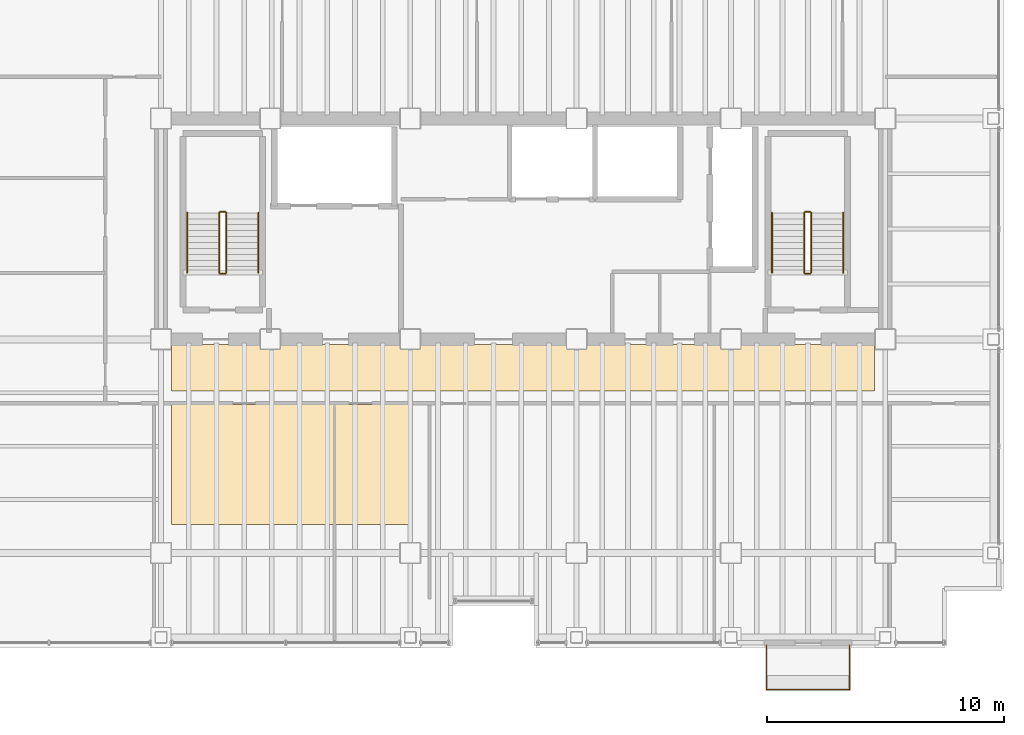
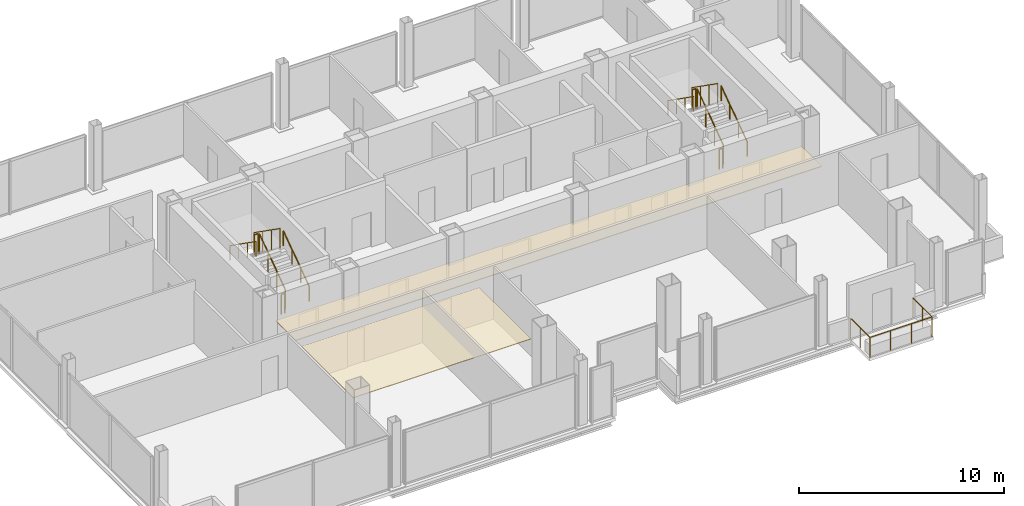
# One storey, part 19 of 19: 13 railings, 2 coverings.
"""IFC4 building model written with IfcOpenShell, lengths in metres."""

from ifc_helpers import new_model, si_unit, direction, frame, origin, origin_2d, place, context, subcontext, project, spatial, polyline, circle, outline, extrude, material, layer, layer_set, type_object, element, save


model = new_model("IFC4")

# Units and contexts
model_context = context("Model", 3, precision=1e-05, world=origin(), true_north=direction((0.0, 1.0)))
body_context = subcontext(model_context, "Body", "Model", "MODEL_VIEW")
ifc_project = project(units=[si_unit("LENGTHUNIT", "METRE"), si_unit("AREAUNIT", "SQUARE_METRE"), si_unit("VOLUMEUNIT", "CUBIC_METRE"), si_unit("PLANEANGLEUNIT", "RADIAN"), si_unit("MASSUNIT", "GRAM", prefix="KILO")], contexts=[model_context])

# Site, building, storey
site_placement = place(None, origin())
site = spatial("IfcSite", under=ifc_project, at=site_placement, CompositionType="ELEMENT")
building_placement = place(site_placement, origin())
building = spatial("IfcBuilding", under=site, at=building_placement, Name="Noeulbin Bourse Tower", CompositionType="ELEMENT")
storey_placement = place(building_placement, frame((0.0, 0.0, 146.10009765625)))
storey = spatial("IfcBuildingStorey", under=building, at=storey_placement, Name="L36", CompositionType="ELEMENT", Elevation=146.10009765625)

# Coverings
ifc_material_1 = material(Name="Perforated Mineral-Fibre Acoustic Tile")
ifc_layer_1 = layer(ifc_material_1, 0.0400390625)
ifc_layer_set_1 = layer_set([ifc_layer_1], Name="Perforated Mineral-Fibre Acoustic Tile")
covering_type = type_object("IfcCoveringType", Name="COV-CEIL-ACT", PredefinedType="CEILING", material=ifc_layer_set_1)
covering_1_placement = place(storey_placement, frame((0.0, 0.0, 2.10986328125)))
element("IfcCovering", 1, at=covering_1_placement, inside=storey, type_object=covering_type, Name="Corridor Suspended Ceiling L36", PredefinedType="CEILING", context=body_context, shape_type="SweptSolid", body=[
    extrude(outline(polyline([(13.949951171875, 26.820068359375), (43.550048828125, 26.820068359375), (43.550048828125, 28.780029296875), (13.949951171875, 28.780029296875), (13.949951171875, 26.820068359375)])), origin(), (0.0, 0.0, 1.0), 0.0400390625),
])
covering_2_placement = place(storey_placement, frame((0.0, 0.0, 2.10986328125)))
element("IfcCovering", 2, at=covering_2_placement, inside=storey, type_object=covering_type, Name="Trading Suite Acoustic Ceiling L36", PredefinedType="CEILING", context=body_context, shape_type="SweptSolid", body=[
    extrude(outline(polyline([(13.949951171875, 21.199951171875), (23.949951171875, 21.199951171875), (23.949951171875, 26.25), (13.949951171875, 26.25), (13.949951171875, 21.199951171875)])), origin(), (0.0, 0.0, 1.0), 0.0400390625),
])

# Railings
ifc_material_2 = material(Name="Laminated SentryGlas and Stainless Steel 316", Category="steel")
ifc_layer_2 = layer(ifc_material_2, 0.06005859375)
ifc_layer_set_2 = layer_set([ifc_layer_2], Name="Laminated SentryGlas and Stainless Steel 316")
railing_type_1 = type_object("IfcRailingType", Name="RLG-BAL-1200", PredefinedType="BALUSTRADE", material=ifc_layer_set_2)
railing_1_placement = place(storey_placement, frame((39.0, 16.1201171875, 0.0)))
element("IfcRailing", 3, at=railing_1_placement, inside=storey, type_object=railing_type_1, Name="Tree-Balcony Glazed Balustrade L36", PredefinedType="BALUSTRADE", context=body_context, shape_type="SweptSolid", body=[
    extrude(circle(Radius=0.02392578125, at=origin_2d()), frame((0.0, 0.0, 1.17578125), z_axis=(0.0, -1.0, 0.0), x_axis=(1.0, 0.0, 0.0)), (0.0, 0.0, 1.0), 1.8701171875),
    extrude(circle(Radius=0.02392578125, at=origin_2d()), frame((0.0, -1.8701171875, 1.17578125), z_axis=(1.0, 0.0, 0.0), x_axis=(0.0, 1.0, 0.0)), (0.0, 0.0, 1.0), 3.5),
    extrude(circle(Radius=0.02392578125, at=origin_2d()), frame((3.5, -1.8701171875, 1.17578125), z_axis=(0.0, 1.0, 0.0), x_axis=(-1.0, 0.0, 0.0)), (0.0, 0.0, 1.0), 1.8701171875),
    extrude(circle(Radius=0.02099609375, at=origin_2d()), origin(), (0.0, 0.0, 1.0), 1.15185546875),
    extrude(circle(Radius=0.02099609375, at=origin_2d()), frame((0.0, -0.93505859375, 0.0)), (0.0, 0.0, 1.0), 1.15185546875),
    extrude(circle(Radius=0.02099609375, at=origin_2d()), frame((0.0, -1.8701171875, 0.0)), (0.0, 0.0, 1.0), 1.15185546875),
    extrude(circle(Radius=0.02099609375, at=origin_2d()), frame((1.166748046875, -1.8701171875, 0.0)), (0.0, 0.0, 1.0), 1.15185546875),
    extrude(circle(Radius=0.02099609375, at=origin_2d()), frame((2.333251953125, -1.8701171875, 0.0)), (0.0, 0.0, 1.0), 1.15185546875),
    extrude(circle(Radius=0.02099609375, at=origin_2d()), frame((3.5, -1.8701171875, 0.0)), (0.0, 0.0, 1.0), 1.15185546875),
    extrude(circle(Radius=0.02099609375, at=origin_2d()), frame((3.5, -0.93505859375, 0.0)), (0.0, 0.0, 1.0), 1.15185546875),
    extrude(circle(Radius=0.02099609375, at=origin_2d()), frame((3.5, 0.0, 0.0)), (0.0, 0.0, 1.0), 1.15185546875),
])
ifc_material_3 = material(Name="Painted Tubular Steel S355", Category="steel")
ifc_layer_3 = layer(ifc_material_3, 0.048095703125)
ifc_layer_set_3 = layer_set([ifc_layer_3], Name="Painted Tubular Steel S355")
railing_type_2 = type_object("IfcRailingType", Name="RLG-STR-GRD", PredefinedType="GUARDRAIL", material=ifc_layer_set_3)
railing_2_placement = place(storey_placement, frame((16.25, 31.81005859375, 0.17724609375)))
element("IfcRailing", 4, at=railing_2_placement, inside=storey, type_object=railing_type_2, Name="L36 ST-1 stair guard 1", PredefinedType="GUARDRAIL", context=body_context, shape_type="SweptSolid", body=[
    extrude(circle(Radius=0.02392578125, at=origin_2d()), frame((0.0, 0.0, 1.17578125), z_axis=(0.0, 0.817904474719, 0.575354039036), x_axis=(-1.0, 0.0, 0.0)), (0.0, 0.0, 1.0), 3.0810546875),
    extrude(circle(Radius=0.02099609375, at=origin_2d()), origin(), (0.0, 0.0, 1.0), 1.15185546875),
    extrude(circle(Radius=0.02099609375, at=origin_2d()), frame((0.0, 0.840087890625, 0.5908203125)), (0.0, 0.0, 1.0), 1.15185546875),
    extrude(circle(Radius=0.02099609375, at=origin_2d()), frame((0.0, 1.679931640625, 1.181884765625)), (0.0, 0.0, 1.0), 1.15185546875),
    extrude(circle(Radius=0.02099609375, at=origin_2d()), frame((0.0, 2.52001953125, 1.772705078125)), (0.0, 0.0, 1.0), 1.15185546875),
])
railing_3_placement = place(storey_placement, frame((16.199951171875, 34.3798828125, 1.949951171875)))
element("IfcRailing", 5, at=railing_3_placement, inside=storey, type_object=railing_type_2, Name="L36 ST-1 stair guard 2", PredefinedType="GUARDRAIL", context=body_context, shape_type="SweptSolid", body=[
    extrude(circle(Radius=0.02392578125, at=origin_2d()), frame((0.0, 0.0, 1.17578125), z_axis=(-1.0, 0.0, 0.0), x_axis=(0.0, -1.0, 0.0)), (0.0, 0.0, 1.0), 0.199951171875),
    extrude(circle(Radius=0.02099609375, at=origin_2d()), origin(), (0.0, 0.0, 1.0), 1.15185546875),
    extrude(circle(Radius=0.02099609375, at=origin_2d()), frame((-0.199951171875, 0.0, 0.0)), (0.0, 0.0, 1.0), 1.15185546875),
])
railing_4_placement = place(storey_placement, frame((15.949951171875, 34.330078125, 2.127197265625)))
element("IfcRailing", 6, at=railing_4_placement, inside=storey, type_object=railing_type_2, Name="L36 ST-1 stair guard 3", PredefinedType="GUARDRAIL", context=body_context, shape_type="SweptSolid", body=[
    extrude(circle(Radius=0.02392578125, at=origin_2d()), frame((0.0, 0.0, 1.17578125), z_axis=(0.0, -0.817904474719, 0.575354039036), x_axis=(1.0, 0.0, 0.0)), (0.0, 0.0, 1.0), 3.0810546875),
    extrude(circle(Radius=0.02099609375, at=origin_2d()), origin(), (0.0, 0.0, 1.0), 1.15185546875),
    extrude(circle(Radius=0.02099609375, at=origin_2d()), frame((0.0, -0.840087890625, 0.5908203125)), (0.0, 0.0, 1.0), 1.15185546875),
    extrude(circle(Radius=0.02099609375, at=origin_2d()), frame((0.0, -1.679931640625, 1.181884765625)), (0.0, 0.0, 1.0), 1.15185546875),
    extrude(circle(Radius=0.02099609375, at=origin_2d()), frame((0.0, -2.52001953125, 1.772705078125)), (0.0, 0.0, 1.0), 1.15185546875),
])
railing_5_placement = place(storey_placement, frame((16.199951171875, 31.760009765625, 0.0)))
element("IfcRailing", 7, at=railing_5_placement, inside=storey, type_object=railing_type_2, Name="L36 ST-1 stair guard 4", PredefinedType="GUARDRAIL", context=body_context, shape_type="SweptSolid", body=[
    extrude(circle(Radius=0.02392578125, at=origin_2d()), frame((0.0, 0.0, 1.17578125), z_axis=(-1.0, 0.0, 0.0), x_axis=(0.0, -1.0, 0.0)), (0.0, 0.0, 1.0), 0.199951171875),
    extrude(circle(Radius=0.02099609375, at=origin_2d()), origin(), (0.0, 0.0, 1.0), 1.15185546875),
    extrude(circle(Radius=0.02099609375, at=origin_2d()), frame((-0.199951171875, 0.0, 0.0)), (0.0, 0.0, 1.0), 1.15185546875),
])
railing_6_placement = place(storey_placement, frame((40.8798828125, 31.81005859375, 0.17724609375)))
element("IfcRailing", 8, at=railing_6_placement, inside=storey, type_object=railing_type_2, Name="L36 ST-2 stair guard 1", PredefinedType="GUARDRAIL", context=body_context, shape_type="SweptSolid", body=[
    extrude(circle(Radius=0.02392578125, at=origin_2d()), frame((0.0, 0.0, 1.17578125), z_axis=(0.0, 0.817904474719, 0.575354039036), x_axis=(-1.0, 0.0, 0.0)), (0.0, 0.0, 1.0), 3.0810546875),
    extrude(circle(Radius=0.02099609375, at=origin_2d()), origin(), (0.0, 0.0, 1.0), 1.15185546875),
    extrude(circle(Radius=0.02099609375, at=origin_2d()), frame((0.0, 0.840087890625, 0.5908203125)), (0.0, 0.0, 1.0), 1.15185546875),
    extrude(circle(Radius=0.02099609375, at=origin_2d()), frame((0.0, 1.679931640625, 1.181884765625)), (0.0, 0.0, 1.0), 1.15185546875),
    extrude(circle(Radius=0.02099609375, at=origin_2d()), frame((0.0, 2.52001953125, 1.772705078125)), (0.0, 0.0, 1.0), 1.15185546875),
])
railing_7_placement = place(storey_placement, frame((40.830078125, 34.3798828125, 1.949951171875)))
element("IfcRailing", 9, at=railing_7_placement, inside=storey, type_object=railing_type_2, Name="L36 ST-2 stair guard 2", PredefinedType="GUARDRAIL", context=body_context, shape_type="SweptSolid", body=[
    extrude(circle(Radius=0.02392578125, at=origin_2d()), frame((0.0, 0.0, 1.17578125), z_axis=(-1.0, 0.0, 0.0), x_axis=(0.0, -1.0, 0.0)), (0.0, 0.0, 1.0), 0.2001953125),
    extrude(circle(Radius=0.02099609375, at=origin_2d()), origin(), (0.0, 0.0, 1.0), 1.15185546875),
    extrude(circle(Radius=0.02099609375, at=origin_2d()), frame((-0.2001953125, 0.0, 0.0)), (0.0, 0.0, 1.0), 1.15185546875),
])
railing_8_placement = place(storey_placement, frame((40.580078125, 34.330078125, 2.127197265625)))
element("IfcRailing", 10, at=railing_8_placement, inside=storey, type_object=railing_type_2, Name="L36 ST-2 stair guard 3", PredefinedType="GUARDRAIL", context=body_context, shape_type="SweptSolid", body=[
    extrude(circle(Radius=0.02392578125, at=origin_2d()), frame((0.0, 0.0, 1.17578125), z_axis=(0.0, -0.817904474719, 0.575354039036), x_axis=(1.0, 0.0, 0.0)), (0.0, 0.0, 1.0), 3.0810546875),
    extrude(circle(Radius=0.02099609375, at=origin_2d()), origin(), (0.0, 0.0, 1.0), 1.15185546875),
    extrude(circle(Radius=0.02099609375, at=origin_2d()), frame((0.0, -0.840087890625, 0.5908203125)), (0.0, 0.0, 1.0), 1.15185546875),
    extrude(circle(Radius=0.02099609375, at=origin_2d()), frame((0.0, -1.679931640625, 1.181884765625)), (0.0, 0.0, 1.0), 1.15185546875),
    extrude(circle(Radius=0.02099609375, at=origin_2d()), frame((0.0, -2.52001953125, 1.772705078125)), (0.0, 0.0, 1.0), 1.15185546875),
])
railing_9_placement = place(storey_placement, frame((40.830078125, 31.760009765625, 0.0)))
element("IfcRailing", 11, at=railing_9_placement, inside=storey, type_object=railing_type_2, Name="L36 ST-2 stair guard 4", PredefinedType="GUARDRAIL", context=body_context, shape_type="SweptSolid", body=[
    extrude(circle(Radius=0.02392578125, at=origin_2d()), frame((0.0, 0.0, 1.17578125), z_axis=(-1.0, 0.0, 0.0), x_axis=(0.0, -1.0, 0.0)), (0.0, 0.0, 1.0), 0.2001953125),
    extrude(circle(Radius=0.02099609375, at=origin_2d()), origin(), (0.0, 0.0, 1.0), 1.15185546875),
    extrude(circle(Radius=0.02099609375, at=origin_2d()), frame((-0.2001953125, 0.0, 0.0)), (0.0, 0.0, 1.0), 1.15185546875),
])
ifc_material_4 = material(Name="Brushed Stainless Steel 316", Category="steel")
ifc_layer_4 = layer(ifc_material_4, 0.048095703125)
ifc_layer_set_4 = layer_set([ifc_layer_4], Name="Brushed Stainless Steel 316")
railing_type_3 = type_object("IfcRailingType", Name="RLG-STR-HND", PredefinedType="HANDRAIL", material=ifc_layer_set_4)
railing_10_placement = place(storey_placement, frame((17.60009765625, 31.81005859375, 0.17724609375)))
element("IfcRailing", 12, at=railing_10_placement, inside=storey, type_object=railing_type_3, Name="L36 ST-1 stair handrail 1", PredefinedType="HANDRAIL", context=body_context, shape_type="SweptSolid", body=[
    extrude(circle(Radius=0.02392578125, at=origin_2d()), frame((0.0, 0.0, 0.8759765625), z_axis=(0.0, 0.817904474719, 0.575354039036), x_axis=(-1.0, 0.0, 0.0)), (0.0, 0.0, 1.0), 3.0810546875),
    extrude(circle(Radius=0.02099609375, at=origin_2d()), origin(), (0.0, 0.0, 1.0), 0.851806640625),
    extrude(circle(Radius=0.02099609375, at=origin_2d()), frame((0.0, 0.840087890625, 0.5908203125)), (0.0, 0.0, 1.0), 0.851806640625),
    extrude(circle(Radius=0.02099609375, at=origin_2d()), frame((0.0, 1.679931640625, 1.181884765625)), (0.0, 0.0, 1.0), 0.851806640625),
    extrude(circle(Radius=0.02099609375, at=origin_2d()), frame((0.0, 2.52001953125, 1.772705078125)), (0.0, 0.0, 1.0), 0.851806640625),
])
railing_11_placement = place(storey_placement, frame((14.60009765625, 34.330078125, 2.127197265625)))
element("IfcRailing", 13, at=railing_11_placement, inside=storey, type_object=railing_type_3, Name="L36 ST-1 stair handrail 2", PredefinedType="HANDRAIL", context=body_context, shape_type="SweptSolid", body=[
    extrude(circle(Radius=0.02392578125, at=origin_2d()), frame((0.0, 0.0, 0.8759765625), z_axis=(0.0, -0.817904474719, 0.575354039036), x_axis=(1.0, 0.0, 0.0)), (0.0, 0.0, 1.0), 3.0810546875),
    extrude(circle(Radius=0.02099609375, at=origin_2d()), origin(), (0.0, 0.0, 1.0), 0.851806640625),
    extrude(circle(Radius=0.02099609375, at=origin_2d()), frame((0.0, -0.840087890625, 0.5908203125)), (0.0, 0.0, 1.0), 0.851806640625),
    extrude(circle(Radius=0.02099609375, at=origin_2d()), frame((0.0, -1.679931640625, 1.181884765625)), (0.0, 0.0, 1.0), 0.851806640625),
    extrude(circle(Radius=0.02099609375, at=origin_2d()), frame((0.0, -2.52001953125, 1.772705078125)), (0.0, 0.0, 1.0), 0.851806640625),
])
railing_12_placement = place(storey_placement, frame((42.22998046875, 31.81005859375, 0.17724609375)))
element("IfcRailing", 14, at=railing_12_placement, inside=storey, type_object=railing_type_3, Name="L36 ST-2 stair handrail 1", PredefinedType="HANDRAIL", context=body_context, shape_type="SweptSolid", body=[
    extrude(circle(Radius=0.02392578125, at=origin_2d()), frame((0.0, 0.0, 0.8759765625), z_axis=(0.0, 0.817904474719, 0.575354039036), x_axis=(-1.0, 0.0, 0.0)), (0.0, 0.0, 1.0), 3.0810546875),
    extrude(circle(Radius=0.02099609375, at=origin_2d()), origin(), (0.0, 0.0, 1.0), 0.851806640625),
    extrude(circle(Radius=0.02099609375, at=origin_2d()), frame((0.0, 0.840087890625, 0.5908203125)), (0.0, 0.0, 1.0), 0.851806640625),
    extrude(circle(Radius=0.02099609375, at=origin_2d()), frame((0.0, 1.679931640625, 1.181884765625)), (0.0, 0.0, 1.0), 0.851806640625),
    extrude(circle(Radius=0.02099609375, at=origin_2d()), frame((0.0, 2.52001953125, 1.772705078125)), (0.0, 0.0, 1.0), 0.851806640625),
])
railing_13_placement = place(storey_placement, frame((39.22998046875, 34.330078125, 2.127197265625)))
element("IfcRailing", 15, at=railing_13_placement, inside=storey, type_object=railing_type_3, Name="L36 ST-2 stair handrail 2", PredefinedType="HANDRAIL", context=body_context, shape_type="SweptSolid", body=[
    extrude(circle(Radius=0.02392578125, at=origin_2d()), frame((0.0, 0.0, 0.8759765625), z_axis=(0.0, -0.817904474719, 0.575354039036), x_axis=(1.0, 0.0, 0.0)), (0.0, 0.0, 1.0), 3.0810546875),
    extrude(circle(Radius=0.02099609375, at=origin_2d()), origin(), (0.0, 0.0, 1.0), 0.851806640625),
    extrude(circle(Radius=0.02099609375, at=origin_2d()), frame((0.0, -0.840087890625, 0.5908203125)), (0.0, 0.0, 1.0), 0.851806640625),
    extrude(circle(Radius=0.02099609375, at=origin_2d()), frame((0.0, -1.679931640625, 1.181884765625)), (0.0, 0.0, 1.0), 0.851806640625),
    extrude(circle(Radius=0.02099609375, at=origin_2d()), frame((0.0, -2.52001953125, 1.772705078125)), (0.0, 0.0, 1.0), 0.851806640625),
])

save(model, "model.ifc")
